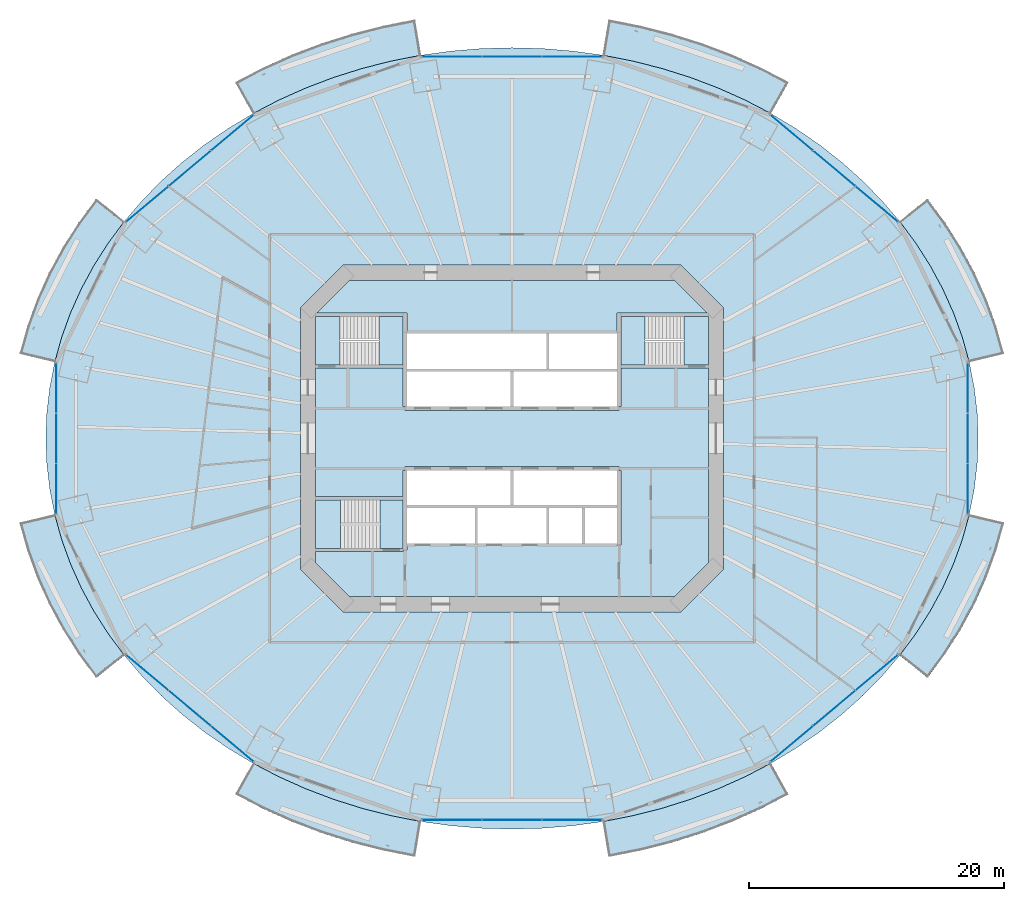
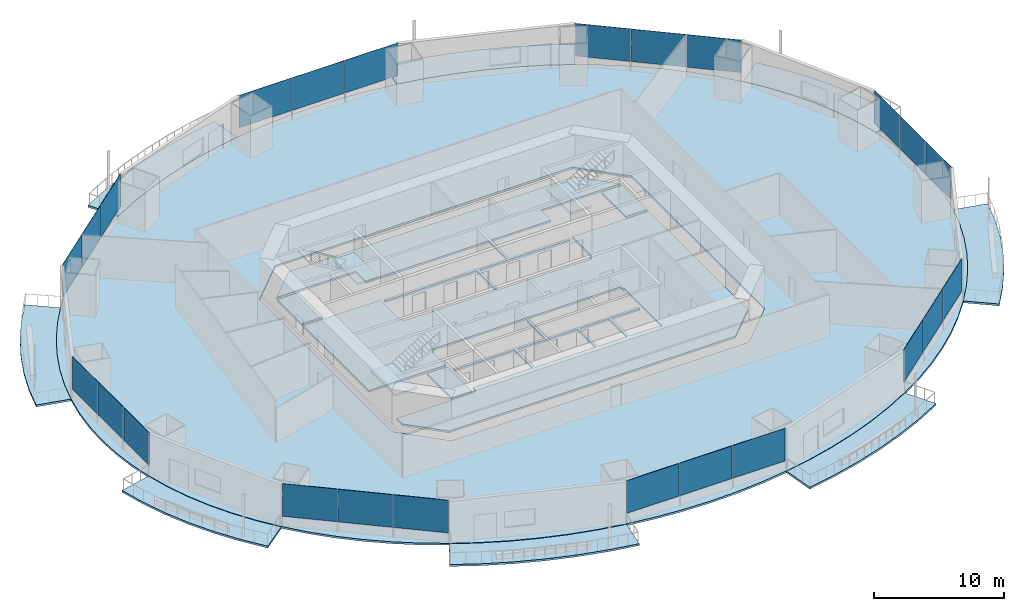
# One storey, part 13 of 23: 24 plates, 17 slabs, 11 elements without a shape of their own.
"""IFC4 building model written with IfcOpenShell, lengths in metres."""

from ifc_helpers import new_model, si_unit, direction, frame, origin, origin_2d, place, context, subcontext, project, spatial, polyline, rectangle, outline, extrude, material, layer, layer_set, type_object, element, aggregate, save


model = new_model("IFC4")

# Units and contexts
model_context = context("Model", 3, precision=1e-05, world=origin(), true_north=direction((0.0, 1.0)))
body_context = subcontext(model_context, "Body", "Model", "MODEL_VIEW")
ifc_project = project(units=[si_unit("LENGTHUNIT", "METRE"), si_unit("AREAUNIT", "SQUARE_METRE"), si_unit("VOLUMEUNIT", "CUBIC_METRE"), si_unit("PLANEANGLEUNIT", "RADIAN"), si_unit("MASSUNIT", "GRAM", prefix="KILO")], contexts=[model_context])

# Site, building, storey
site_placement = place(None, origin())
site = spatial("IfcSite", under=ifc_project, at=site_placement, CompositionType="ELEMENT")
building_placement = place(site_placement, origin())
building = spatial("IfcBuilding", under=site, at=building_placement, Name="Marenthal Gate Tower", CompositionType="ELEMENT")
storey_placement = place(building_placement, frame((0.0, 0.0, 45.449951171875)))
storey = spatial("IfcBuildingStorey", under=building, at=storey_placement, Name="L07", CompositionType="ELEMENT", Elevation=45.449951171875)

# Slabs
ifc_material_1 = material(Name="Concrete 40 MPa", Category="concrete")
ifc_layer_1 = layer(ifc_material_1, 0.179931640625)
ifc_layer_set_1 = layer_set([ifc_layer_1], Name="Balcony deck 180")
slab_type_1 = type_object("IfcSlabType", Name="Balcony deck 180", PredefinedType="USERDEFINED", material=ifc_layer_set_1)
slab_1_placement = place(storey_placement, frame((0.0, 0.0, -0.219970703125)))
element("IfcSlab", 1, at=slab_1_placement, inside=storey, type_object=slab_type_1, Name="Balcony deck L07 bay 1", ObjectType="BALCONY", PredefinedType="USERDEFINED", context=body_context, shape_type="SweptSolid", body=[
    extrude(outline(polyline([(35.85546875, 5.9765625), (35.312255859375, 7.928955078125), (34.617919921875, 9.847412109375), (33.775146484375, 11.723388671875), (32.787841796875, 13.549560546875), (31.66015625, 15.3173828125), (30.39697265625, 17.02001953125), (32.586181640625, 18.765625), (33.9658203125, 16.906005859375), (35.200927734375, 14.9697265625), (36.285400390625, 12.96435546875), (37.213134765625, 10.8984375), (37.979248046875, 8.78173828125), (38.579833984375, 6.623291015625), (35.85546875, 5.9765625)])), origin(), (0.0, 0.0, 1.0), 0.179931640625),
])
slab_2_placement = place(storey_placement, frame((0.0, 0.0, -0.219970703125)))
element("IfcSlab", 2, at=slab_2_placement, inside=storey, type_object=slab_type_1, Name="Balcony deck L07 bay 3", ObjectType="BALCONY", PredefinedType="USERDEFINED", context=body_context, shape_type="SweptSolid", body=[
    extrude(outline(polyline([(20.310546875, 25.47216796875), (18.279052734375, 26.53076171875), (16.169189453125, 27.4755859375), (13.989990234375, 28.302978515625), (11.751220703125, 29.00927734375), (9.4619140625, 29.591064453125), (7.132080078125, 30.04638671875), (7.592529296875, 32.808349609375), (10.075439453125, 32.322998046875), (12.517333984375, 31.702392578125), (14.908203125, 30.9482421875), (17.238525390625, 30.0634765625), (19.49853515625, 29.05126953125), (21.678466796875, 27.915283203125), (20.310546875, 25.47216796875)])), origin(), (0.0, 0.0, 1.0), 0.179931640625),
])
slab_3_placement = place(storey_placement, frame((0.0, 0.0, -0.219970703125)))
element("IfcSlab", 3, at=slab_3_placement, inside=storey, type_object=slab_type_1, Name="Balcony deck L07 bay 5", ObjectType="BALCONY", PredefinedType="USERDEFINED", context=body_context, shape_type="SweptSolid", body=[
    extrude(outline(polyline([(-7.132080078125, 30.04638671875), (-9.4619140625, 29.591064453125), (-11.751220703125, 29.00927734375), (-13.989990234375, 28.302978515625), (-16.169189453125, 27.4755859375), (-18.279052734375, 26.53076171875), (-20.310546875, 25.47216796875), (-21.678466796875, 27.915283203125), (-19.49853515625, 29.05126953125), (-17.238525390625, 30.0634765625), (-14.908203125, 30.9482421875), (-12.517333984375, 31.702392578125), (-10.075439453125, 32.322998046875), (-7.592529296875, 32.808349609375), (-7.132080078125, 30.04638671875)])), origin(), (0.0, 0.0, 1.0), 0.179931640625),
])
slab_4_placement = place(storey_placement, frame((0.0, 0.0, -0.219970703125)))
element("IfcSlab", 4, at=slab_4_placement, inside=storey, type_object=slab_type_1, Name="Balcony deck L07 bay 7", ObjectType="BALCONY", PredefinedType="USERDEFINED", context=body_context, shape_type="SweptSolid", body=[
    extrude(outline(polyline([(-30.39697265625, 17.02001953125), (-31.66015625, 15.3173828125), (-32.787841796875, 13.549560546875), (-33.775146484375, 11.723388671875), (-34.617919921875, 9.847412109375), (-35.312255859375, 7.928955078125), (-35.85546875, 5.9765625), (-38.579833984375, 6.623291015625), (-37.979248046875, 8.78173828125), (-37.213134765625, 10.8984375), (-36.285400390625, 12.96435546875), (-35.200927734375, 14.9697265625), (-33.9658203125, 16.906005859375), (-32.586181640625, 18.765625), (-30.39697265625, 17.02001953125)])), origin(), (0.0, 0.0, 1.0), 0.179931640625),
])
slab_5_placement = place(storey_placement, frame((0.0, 0.0, -0.219970703125)))
element("IfcSlab", 5, at=slab_5_placement, inside=storey, type_object=slab_type_1, Name="Balcony deck L07 bay 9", ObjectType="BALCONY", PredefinedType="USERDEFINED", context=body_context, shape_type="SweptSolid", body=[
    extrude(outline(polyline([(-35.85546875, -5.9765625), (-35.312255859375, -7.928955078125), (-34.617919921875, -9.847412109375), (-33.775146484375, -11.723388671875), (-32.787841796875, -13.549560546875), (-31.66015625, -15.3173828125), (-30.39697265625, -17.02001953125), (-32.586181640625, -18.765625), (-33.9658203125, -16.906005859375), (-35.200927734375, -14.9697265625), (-36.285400390625, -12.96435546875), (-37.213134765625, -10.8984375), (-37.979248046875, -8.78173828125), (-38.579833984375, -6.623291015625), (-35.85546875, -5.9765625)])), origin(), (0.0, 0.0, 1.0), 0.179931640625),
])
slab_6_placement = place(storey_placement, frame((0.0, 0.0, -0.219970703125)))
element("IfcSlab", 6, at=slab_6_placement, inside=storey, type_object=slab_type_1, Name="Balcony deck L07 bay 11", ObjectType="BALCONY", PredefinedType="USERDEFINED", context=body_context, shape_type="SweptSolid", body=[
    extrude(outline(polyline([(-20.310546875, -25.47216796875), (-18.279052734375, -26.53076171875), (-16.169189453125, -27.4755859375), (-13.989990234375, -28.302978515625), (-11.751220703125, -29.00927734375), (-9.4619140625, -29.591064453125), (-7.132080078125, -30.04638671875), (-7.592529296875, -32.808349609375), (-10.075439453125, -32.322998046875), (-12.517333984375, -31.702392578125), (-14.908203125, -30.9482421875), (-17.238525390625, -30.0634765625), (-19.49853515625, -29.05126953125), (-21.678466796875, -27.915283203125), (-20.310546875, -25.47216796875)])), origin(), (0.0, 0.0, 1.0), 0.179931640625),
])
slab_7_placement = place(storey_placement, frame((0.0, 0.0, -0.219970703125)))
element("IfcSlab", 7, at=slab_7_placement, inside=storey, type_object=slab_type_1, Name="Balcony deck L07 bay 13", ObjectType="BALCONY", PredefinedType="USERDEFINED", context=body_context, shape_type="SweptSolid", body=[
    extrude(outline(polyline([(7.132080078125, -30.04638671875), (9.4619140625, -29.591064453125), (11.751220703125, -29.00927734375), (13.989990234375, -28.302978515625), (16.169189453125, -27.4755859375), (18.279052734375, -26.53076171875), (20.310546875, -25.47216796875), (21.678466796875, -27.915283203125), (19.49853515625, -29.05126953125), (17.238525390625, -30.0634765625), (14.908203125, -30.9482421875), (12.517333984375, -31.702392578125), (10.075439453125, -32.322998046875), (7.592529296875, -32.808349609375), (7.132080078125, -30.04638671875)])), origin(), (0.0, 0.0, 1.0), 0.179931640625),
])
slab_8_placement = place(storey_placement, frame((0.0, 0.0, -0.219970703125)))
element("IfcSlab", 8, at=slab_8_placement, inside=storey, type_object=slab_type_1, Name="Balcony deck L07 bay 15", ObjectType="BALCONY", PredefinedType="USERDEFINED", context=body_context, shape_type="SweptSolid", body=[
    extrude(outline(polyline([(30.39697265625, -17.02001953125), (31.66015625, -15.3173828125), (32.787841796875, -13.549560546875), (33.775146484375, -11.723388671875), (34.617919921875, -9.847412109375), (35.312255859375, -7.928955078125), (35.85546875, -5.9765625), (38.579833984375, -6.623291015625), (37.979248046875, -8.78173828125), (37.213134765625, -10.8984375), (36.285400390625, -12.96435546875), (35.200927734375, -14.9697265625), (33.9658203125, -16.906005859375), (32.586181640625, -18.765625), (30.39697265625, -17.02001953125)])), origin(), (0.0, 0.0, 1.0), 0.179931640625),
])
ifc_material_2 = material(Name="Concrete 50 MPa", Category="concrete")
ifc_layer_2 = layer(ifc_material_2, 0.179931640625)
ifc_layer_set_2 = layer_set([ifc_layer_2], Name="Core floor slab 180")
slab_type_2 = type_object("IfcSlabType", Name="Core floor slab 180", PredefinedType="FLOOR", material=ifc_layer_set_2)
slab_9_placement = place(storey_placement, frame((0.0, 0.0, -0.179931640625)))
element("IfcSlab", 9, at=slab_9_placement, inside=storey, type_object=slab_type_2, Name="Core floor L07", PredefinedType="FLOOR", context=body_context, shape_type="SweptSolid", body=[
    extrude(outline(polyline([(15.39990234375, -9.75146484375), (12.75146484375, -12.39990234375), (-12.75146484375, -12.39990234375), (-15.39990234375, -9.75146484375), (-15.39990234375, -8.875), (-8.550048828125, -8.875), (-8.550048828125, -8.75), (-8.25, -8.75), (-8.25, -8.239990234375), (-5.60009765625, -8.239990234375), (-2.909912109375, -8.239990234375), (-2.909912109375, -5.4599609375), (-5.60009765625, -5.4599609375), (-8.25, -5.4599609375), (-8.25, -5.239990234375), (-5.60009765625, -5.239990234375), (-2.800048828125, -5.239990234375), (-0.110107421875, -5.239990234375), (-0.110107421875, -2.5), (0.110107421875, -2.5), (0.110107421875, -5.239990234375), (2.800048828125, -5.239990234375), (5.60009765625, -5.239990234375), (8.25, -5.239990234375), (8.25, -5.4599609375), (5.7099609375, -5.4599609375), (5.7099609375, -8.239990234375), (8.25, -8.239990234375), (8.25, -8.35009765625), (8.550048828125, -8.35009765625), (8.550048828125, -2.5), (8.39990234375, -2.5), (8.39990234375, -2.199951171875), (-8.39990234375, -2.199951171875), (-8.39990234375, -2.5), (-8.550048828125, -2.5), (-8.550048828125, -4.574951171875), (-15.39990234375, -4.574951171875), (-15.39990234375, 5.52490234375), (-8.550048828125, 5.52490234375), (-8.550048828125, 2.5), (-8.39990234375, 2.5), (-8.39990234375, 2.199951171875), (8.39990234375, 2.199951171875), (8.39990234375, 2.5), (8.550048828125, 2.5), (8.550048828125, 5.52490234375), (15.39990234375, 5.52490234375), (15.39990234375, -9.75146484375)]), holes=[polyline([(2.68994140625, -5.4599609375), (0.0, -5.4599609375), (-2.68994140625, -5.4599609375), (-2.68994140625, -8.239990234375), (0.0, -8.239990234375), (2.68994140625, -8.239990234375), (2.68994140625, -5.4599609375)]), polyline([(5.489990234375, -5.4599609375), (2.909912109375, -5.4599609375), (2.909912109375, -8.239990234375), (5.489990234375, -8.239990234375), (5.489990234375, -5.4599609375)])]), origin(), (0.0, 0.0, 1.0), 0.179931640625),
])
slab_10_placement = place(storey_placement, frame((0.0, 0.0, -0.179931640625)))
element("IfcSlab", 10, at=slab_10_placement, inside=storey, type_object=slab_type_2, Name="Core floor L07", PredefinedType="FLOOR", context=body_context, shape_type="SweptSolid", body=[
    extrude(outline(polyline([(15.39990234375, 5.77490234375), (13.5, 5.77490234375), (13.5, 9.574951171875), (15.39990234375, 9.574951171875), (15.39990234375, 5.77490234375)])), origin(), (0.0, 0.0, 1.0), 0.179931640625),
])
slab_11_placement = place(storey_placement, frame((0.0, 0.0, -0.179931640625)))
element("IfcSlab", 11, at=slab_11_placement, inside=storey, type_object=slab_type_2, Name="Core floor L07", PredefinedType="FLOOR", context=body_context, shape_type="SweptSolid", body=[
    extrude(outline(polyline([(12.75146484375, 12.39990234375), (15.326416015625, 9.824951171875), (8.550048828125, 9.824951171875), (8.25, 9.824951171875), (8.25, 8.35009765625), (8.25, 8.239990234375), (5.60009765625, 8.239990234375), (2.909912109375, 8.239990234375), (2.909912109375, 5.4599609375), (5.60009765625, 5.4599609375), (8.25, 5.4599609375), (8.25, 5.239990234375), (5.60009765625, 5.239990234375), (2.800048828125, 5.239990234375), (0.110107421875, 5.239990234375), (0.110107421875, 2.5), (-0.110107421875, 2.5), (-0.110107421875, 5.239990234375), (-2.800048828125, 5.239990234375), (-5.60009765625, 5.239990234375), (-8.25, 5.239990234375), (-8.25, 5.4599609375), (-5.60009765625, 5.4599609375), (-2.800048828125, 5.4599609375), (0.0, 5.4599609375), (2.68994140625, 5.4599609375), (2.68994140625, 8.239990234375), (0.0, 8.239990234375), (-2.800048828125, 8.239990234375), (-5.60009765625, 8.239990234375), (-8.25, 8.239990234375), (-8.25, 8.35009765625), (-8.25, 9.824951171875), (-8.550048828125, 9.824951171875), (-15.326416015625, 9.824951171875), (-12.75146484375, 12.39990234375), (12.75146484375, 12.39990234375)])), origin(), (0.0, 0.0, 1.0), 0.179931640625),
])
slab_12_placement = place(storey_placement, frame((0.0, 0.0, -0.179931640625)))
element("IfcSlab", 12, at=slab_12_placement, inside=storey, type_object=slab_type_2, Name="Core floor L07", PredefinedType="FLOOR", context=body_context, shape_type="SweptSolid", body=[
    extrude(outline(polyline([(-15.39990234375, 9.574951171875), (-13.5, 9.574951171875), (-13.5, 5.77490234375), (-15.39990234375, 5.77490234375), (-15.39990234375, 9.574951171875)])), origin(), (0.0, 0.0, 1.0), 0.179931640625),
])
slab_13_placement = place(storey_placement, frame((0.0, 0.0, -0.179931640625)))
element("IfcSlab", 13, at=slab_13_placement, inside=storey, type_object=slab_type_2, Name="Core floor L07", PredefinedType="FLOOR", context=body_context, shape_type="SweptSolid", body=[
    extrude(outline(polyline([(-8.550048828125, -8.625), (-10.35009765625, -8.625), (-10.35009765625, -4.824951171875), (-8.550048828125, -4.824951171875), (-8.550048828125, -8.625)])), origin(), (0.0, 0.0, 1.0), 0.179931640625),
])
ifc_material_3 = material(Name="Concrete 35 MPa", Category="concrete")
ifc_layer_3 = layer(ifc_material_3, 0.179931640625)
ifc_layer_set_3 = layer_set([ifc_layer_3], Name="Floor slab 180")
slab_type_3 = type_object("IfcSlabType", Name="Floor slab 180", PredefinedType="FLOOR", material=ifc_layer_set_3)
slab_14_placement = place(storey_placement, frame((0.0, 0.0, -0.179931640625)))
element("IfcSlab", 14, at=slab_14_placement, inside=storey, type_object=slab_type_3, Name="SL-L07-01", PredefinedType="FLOOR", context=body_context, shape_type="SweptSolid", body=[
    extrude(outline(polyline([(36.55810546875, 0.0), (36.479736328125, 2.003662109375), (36.2451171875, 3.998779296875), (35.85546875, 5.9765625), (35.312255859375, 7.928955078125), (34.617919921875, 9.847412109375), (33.775146484375, 11.723388671875), (32.787841796875, 13.549560546875), (31.66015625, 15.3173828125), (30.39697265625, 17.02001953125), (29.00341796875, 18.6494140625), (27.48583984375, 20.19921875), (25.850341796875, 21.662109375), (24.1044921875, 23.03271484375), (22.255126953125, 24.304443359375), (20.310546875, 25.47216796875), (18.279052734375, 26.53076171875), (16.169189453125, 27.4755859375), (13.989990234375, 28.302978515625), (11.751220703125, 29.00927734375), (9.4619140625, 29.591064453125), (7.132080078125, 30.04638671875), (4.771728515625, 30.372802734375), (2.39111328125, 30.5693359375), (0.0, 30.635009765625), (-2.39111328125, 30.5693359375), (-4.771728515625, 30.372802734375), (-7.132080078125, 30.04638671875), (-9.4619140625, 29.591064453125), (-11.751220703125, 29.00927734375), (-13.989990234375, 28.302978515625), (-16.169189453125, 27.4755859375), (-18.279052734375, 26.53076171875), (-20.310546875, 25.47216796875), (-22.255126953125, 24.304443359375), (-24.1044921875, 23.03271484375), (-25.850341796875, 21.662109375), (-27.48583984375, 20.19921875), (-29.00341796875, 18.6494140625), (-30.39697265625, 17.02001953125), (-31.66015625, 15.3173828125), (-32.787841796875, 13.549560546875), (-33.775146484375, 11.723388671875), (-34.617919921875, 9.847412109375), (-35.312255859375, 7.928955078125), (-35.85546875, 5.9765625), (-36.2451171875, 3.998779296875), (-36.479736328125, 2.003662109375), (-36.55810546875, 0.0), (-36.479736328125, -2.003662109375), (-36.2451171875, -3.998779296875), (-35.85546875, -5.9765625), (-35.312255859375, -7.928955078125), (-34.617919921875, -9.847412109375), (-33.775146484375, -11.723388671875), (-32.787841796875, -13.549560546875), (-31.66015625, -15.3173828125), (-30.39697265625, -17.02001953125), (-29.00341796875, -18.6494140625), (-27.48583984375, -20.19921875), (-25.850341796875, -21.662109375), (-24.1044921875, -23.03271484375), (-22.255126953125, -24.304443359375), (-20.310546875, -25.47216796875), (-18.279052734375, -26.53076171875), (-16.169189453125, -27.4755859375), (-13.989990234375, -28.302978515625), (-11.751220703125, -29.00927734375), (-9.4619140625, -29.591064453125), (-7.132080078125, -30.04638671875), (-4.771728515625, -30.372802734375), (-2.39111328125, -30.5693359375), (0.0, -30.635009765625), (2.39111328125, -30.5693359375), (4.771728515625, -30.372802734375), (7.132080078125, -30.04638671875), (9.4619140625, -29.591064453125), (11.751220703125, -29.00927734375), (13.989990234375, -28.302978515625), (16.169189453125, -27.4755859375), (18.279052734375, -26.53076171875), (20.310546875, -25.47216796875), (22.255126953125, -24.304443359375), (24.1044921875, -23.03271484375), (25.850341796875, -21.662109375), (27.48583984375, -20.19921875), (29.00341796875, -18.6494140625), (30.39697265625, -17.02001953125), (31.66015625, -15.3173828125), (32.787841796875, -13.549560546875), (33.775146484375, -11.723388671875), (34.617919921875, -9.847412109375), (35.312255859375, -7.928955078125), (35.85546875, -5.9765625), (36.2451171875, -3.998779296875), (36.479736328125, -2.003662109375), (36.55810546875, 0.0)]), holes=[polyline([(13.24853515625, -13.60009765625), (16.60009765625, -10.24853515625), (16.60009765625, 10.24853515625), (13.24853515625, 13.60009765625), (-13.24853515625, 13.60009765625), (-16.60009765625, 10.24853515625), (-16.60009765625, -10.24853515625), (-13.24853515625, -13.60009765625), (13.24853515625, -13.60009765625)])]), origin(), (0.0, 0.0, 1.0), 0.179931640625),
])

# Curtain wall, plates
ifc_material_4 = material(Name="Aluminium and glass", Category="aluminium")
curtain_wall_type = type_object("IfcCurtainWallType", Name="Curtain wall typical low", PredefinedType="NOTDEFINED", material=ifc_material_4)
curtain_wall_1_placement = place(storey_placement, origin())
curtain_wall_1 = element("IfcCurtainWall", 15, at=curtain_wall_1_placement, inside=storey, type_object=curtain_wall_type, Name="Curtain wall L07 bay 2", PredefinedType="NOTDEFINED")
ifc_material_5 = material(Name="Glass, laminated insulating unit", Category="glass")
ifc_layer_4 = layer(ifc_material_5, 0.030029296875)
ifc_layer_set_4 = layer_set([ifc_layer_4], Name="Glass panel 30 typical low")
plate_type = type_object("IfcPlateType", Name="Glass panel 30 typical low", PredefinedType="CURTAIN_PANEL", material=ifc_layer_set_4)
plate_1_placement = place(storey_placement, frame((28.606201171875, 18.369140625, 0.89990234375), z_axis=(0.0, 0.0, 1.0), x_axis=(-0.766665046336, 0.642047277641, 0.0)))
plate_1 = element("IfcPlate", 16, at=plate_1_placement, type_object=plate_type, Name="Glass panel L07 bay 2.1", PredefinedType="CURTAIN_PANEL", context=body_context, shape_type="SweptSolid", body=[
    extrude(rectangle(XDim=4.291015625, YDim=0.030029296875, at=origin_2d()), origin(), (0.0, 0.0, 1.0), 3.070068359375),
])
plate_2_placement = place(storey_placement, frame((25.2705078125, 21.162841796875, 0.89990234375), z_axis=(0.0, 0.0, 1.0), x_axis=(-0.766665046336, 0.642047277641, 0.0)))
plate_2 = element("IfcPlate", 17, at=plate_2_placement, type_object=plate_type, Name="Glass panel L07 bay 2.2", PredefinedType="CURTAIN_PANEL", context=body_context, shape_type="SweptSolid", body=[
    extrude(rectangle(XDim=4.291015625, YDim=0.030029296875, at=origin_2d()), origin(), (0.0, 0.0, 1.0), 3.070068359375),
])
plate_3_placement = place(storey_placement, frame((21.934814453125, 23.956298828125, 0.89990234375), z_axis=(0.0, 0.0, 1.0), x_axis=(-0.766665046336, 0.642047277641, 0.0)))
plate_3 = element("IfcPlate", 18, at=plate_3_placement, type_object=plate_type, Name="Glass panel L07 bay 2.3", PredefinedType="CURTAIN_PANEL", context=body_context, shape_type="SweptSolid", body=[
    extrude(rectangle(XDim=4.291015625, YDim=0.030029296875, at=origin_2d()), origin(), (0.0, 0.0, 1.0), 3.070068359375),
])
aggregate(curtain_wall_1, [plate_1, plate_2, plate_3])

curtain_wall_2_placement = place(storey_placement, origin())
curtain_wall_2 = element("IfcCurtainWall", 19, at=curtain_wall_2_placement, inside=storey, type_object=curtain_wall_type, Name="Curtain wall L07 bay 4", PredefinedType="NOTDEFINED")
plate_4_placement = place(storey_placement, frame((4.71923828125, 29.9287109375, 0.89990234375), z_axis=(0.0, 0.0, 1.0), x_axis=(-1.0, 0.0, 0.0)))
plate_4 = element("IfcPlate", 20, at=plate_4_placement, type_object=plate_type, Name="Glass panel L07 bay 4.1", PredefinedType="CURTAIN_PANEL", context=body_context, shape_type="SweptSolid", body=[
    extrude(rectangle(XDim=4.6591796875, YDim=0.030029296875, at=origin_2d()), origin(), (0.0, 0.0, 1.0), 3.070068359375),
])
plate_5_placement = place(storey_placement, frame((0.0, 29.9287109375, 0.89990234375), z_axis=(0.0, 0.0, 1.0), x_axis=(-1.0, 0.0, 0.0)))
plate_5 = element("IfcPlate", 21, at=plate_5_placement, type_object=plate_type, Name="Glass panel L07 bay 4.2", PredefinedType="CURTAIN_PANEL", context=body_context, shape_type="SweptSolid", body=[
    extrude(rectangle(XDim=4.6591796875, YDim=0.030029296875, at=origin_2d()), origin(), (0.0, 0.0, 1.0), 3.070068359375),
])
plate_6_placement = place(storey_placement, frame((-4.71923828125, 29.9287109375, 0.89990234375), z_axis=(0.0, 0.0, 1.0), x_axis=(-1.0, 0.0, 0.0)))
plate_6 = element("IfcPlate", 22, at=plate_6_placement, type_object=plate_type, Name="Glass panel L07 bay 4.3", PredefinedType="CURTAIN_PANEL", context=body_context, shape_type="SweptSolid", body=[
    extrude(rectangle(XDim=4.6591796875, YDim=0.030029296875, at=origin_2d()), origin(), (0.0, 0.0, 1.0), 3.070068359375),
])
aggregate(curtain_wall_2, [plate_4, plate_5, plate_6])

curtain_wall_3_placement = place(storey_placement, origin())
curtain_wall_3 = element("IfcCurtainWall", 23, at=curtain_wall_3_placement, inside=storey, type_object=curtain_wall_type, Name="Curtain wall L07 bay 6", PredefinedType="NOTDEFINED")
plate_7_placement = place(storey_placement, frame((-21.934814453125, 23.956298828125, 0.89990234375), z_axis=(0.0, 0.0, 1.0), x_axis=(-0.766665046336, -0.642047277641, 0.0)))
plate_7 = element("IfcPlate", 24, at=plate_7_placement, type_object=plate_type, Name="Glass panel L07 bay 6.1", PredefinedType="CURTAIN_PANEL", context=body_context, shape_type="SweptSolid", body=[
    extrude(rectangle(XDim=4.291015625, YDim=0.030029296875, at=origin_2d()), origin(), (0.0, 0.0, 1.0), 3.070068359375),
])
plate_8_placement = place(storey_placement, frame((-25.2705078125, 21.162841796875, 0.89990234375), z_axis=(0.0, 0.0, 1.0), x_axis=(-0.766665046336, -0.642047277641, 0.0)))
plate_8 = element("IfcPlate", 25, at=plate_8_placement, type_object=plate_type, Name="Glass panel L07 bay 6.2", PredefinedType="CURTAIN_PANEL", context=body_context, shape_type="SweptSolid", body=[
    extrude(rectangle(XDim=4.291015625, YDim=0.030029296875, at=origin_2d()), origin(), (0.0, 0.0, 1.0), 3.070068359375),
])
plate_9_placement = place(storey_placement, frame((-28.606201171875, 18.369140625, 0.89990234375), z_axis=(0.0, 0.0, 1.0), x_axis=(-0.766665046336, -0.642047277641, 0.0)))
plate_9 = element("IfcPlate", 26, at=plate_9_placement, type_object=plate_type, Name="Glass panel L07 bay 6.3", PredefinedType="CURTAIN_PANEL", context=body_context, shape_type="SweptSolid", body=[
    extrude(rectangle(XDim=4.291015625, YDim=0.030029296875, at=origin_2d()), origin(), (0.0, 0.0, 1.0), 3.070068359375),
])
aggregate(curtain_wall_3, [plate_7, plate_8, plate_9])

curtain_wall_4_placement = place(storey_placement, origin())
curtain_wall_4 = element("IfcCurtainWall", 27, at=curtain_wall_4_placement, inside=storey, type_object=curtain_wall_type, Name="Curtain wall L07 bay 8", PredefinedType="NOTDEFINED")
plate_10_placement = place(storey_placement, frame((-35.73779296875, 3.94873046875, 0.89990234375), z_axis=(0.0, 0.0, 1.0), x_axis=(0.0, -1.0, 0.0)))
plate_10 = element("IfcPlate", 28, at=plate_10_placement, type_object=plate_type, Name="Glass panel L07 bay 8.1", PredefinedType="CURTAIN_PANEL", context=body_context, shape_type="SweptSolid", body=[
    extrude(rectangle(XDim=3.888916015625, YDim=0.030029296875, at=origin_2d()), origin(), (0.0, 0.0, 1.0), 3.070068359375),
])
plate_11_placement = place(storey_placement, frame((-35.73779296875, 0.0, 0.89990234375), z_axis=(0.0, 0.0, 1.0), x_axis=(0.0, -1.0, 0.0)))
plate_11 = element("IfcPlate", 29, at=plate_11_placement, type_object=plate_type, Name="Glass panel L07 bay 8.2", PredefinedType="CURTAIN_PANEL", context=body_context, shape_type="SweptSolid", body=[
    extrude(rectangle(XDim=3.888916015625, YDim=0.030029296875, at=origin_2d()), origin(), (0.0, 0.0, 1.0), 3.070068359375),
])
plate_12_placement = place(storey_placement, frame((-35.73779296875, -3.94873046875, 0.89990234375), z_axis=(0.0, 0.0, 1.0), x_axis=(0.0, -1.0, 0.0)))
plate_12 = element("IfcPlate", 30, at=plate_12_placement, type_object=plate_type, Name="Glass panel L07 bay 8.3", PredefinedType="CURTAIN_PANEL", context=body_context, shape_type="SweptSolid", body=[
    extrude(rectangle(XDim=3.888916015625, YDim=0.030029296875, at=origin_2d()), origin(), (0.0, 0.0, 1.0), 3.070068359375),
])
aggregate(curtain_wall_4, [plate_10, plate_11, plate_12])

curtain_wall_5_placement = place(storey_placement, origin())
curtain_wall_5 = element("IfcCurtainWall", 31, at=curtain_wall_5_placement, inside=storey, type_object=curtain_wall_type, Name="Curtain wall L07 bay 10", PredefinedType="NOTDEFINED")
plate_13_placement = place(storey_placement, frame((-28.606201171875, -18.369140625, 0.89990234375), z_axis=(0.0, 0.0, 1.0), x_axis=(0.766665046336, -0.642047277641, 0.0)))
plate_13 = element("IfcPlate", 32, at=plate_13_placement, type_object=plate_type, Name="Glass panel L07 bay 10.1", PredefinedType="CURTAIN_PANEL", context=body_context, shape_type="SweptSolid", body=[
    extrude(rectangle(XDim=4.291015625, YDim=0.030029296875, at=origin_2d()), origin(), (0.0, 0.0, 1.0), 3.070068359375),
])
plate_14_placement = place(storey_placement, frame((-25.2705078125, -21.162841796875, 0.89990234375), z_axis=(0.0, 0.0, 1.0), x_axis=(0.766665046336, -0.642047277641, 0.0)))
plate_14 = element("IfcPlate", 33, at=plate_14_placement, type_object=plate_type, Name="Glass panel L07 bay 10.2", PredefinedType="CURTAIN_PANEL", context=body_context, shape_type="SweptSolid", body=[
    extrude(rectangle(XDim=4.291015625, YDim=0.030029296875, at=origin_2d()), origin(), (0.0, 0.0, 1.0), 3.070068359375),
])
plate_15_placement = place(storey_placement, frame((-21.934814453125, -23.956298828125, 0.89990234375), z_axis=(0.0, 0.0, 1.0), x_axis=(0.766665046336, -0.642047277641, 0.0)))
plate_15 = element("IfcPlate", 34, at=plate_15_placement, type_object=plate_type, Name="Glass panel L07 bay 10.3", PredefinedType="CURTAIN_PANEL", context=body_context, shape_type="SweptSolid", body=[
    extrude(rectangle(XDim=4.291015625, YDim=0.030029296875, at=origin_2d()), origin(), (0.0, 0.0, 1.0), 3.070068359375),
])
aggregate(curtain_wall_5, [plate_13, plate_14, plate_15])

curtain_wall_6_placement = place(storey_placement, origin())
curtain_wall_6 = element("IfcCurtainWall", 35, at=curtain_wall_6_placement, inside=storey, type_object=curtain_wall_type, Name="Curtain wall L07 bay 12", PredefinedType="NOTDEFINED")
plate_16_placement = place(storey_placement, frame((-4.71923828125, -29.9287109375, 0.89990234375), z_axis=(0.0, 0.0, 1.0), x_axis=(1.0, 0.0, 0.0)))
plate_16 = element("IfcPlate", 36, at=plate_16_placement, type_object=plate_type, Name="Glass panel L07 bay 12.1", PredefinedType="CURTAIN_PANEL", context=body_context, shape_type="SweptSolid", body=[
    extrude(rectangle(XDim=4.6591796875, YDim=0.030029296875, at=origin_2d()), origin(), (0.0, 0.0, 1.0), 3.070068359375),
])
plate_17_placement = place(storey_placement, frame((0.0, -29.9287109375, 0.89990234375), z_axis=(0.0, 0.0, 1.0), x_axis=(1.0, 0.0, 0.0)))
plate_17 = element("IfcPlate", 37, at=plate_17_placement, type_object=plate_type, Name="Glass panel L07 bay 12.2", PredefinedType="CURTAIN_PANEL", context=body_context, shape_type="SweptSolid", body=[
    extrude(rectangle(XDim=4.6591796875, YDim=0.030029296875, at=origin_2d()), origin(), (0.0, 0.0, 1.0), 3.070068359375),
])
plate_18_placement = place(storey_placement, frame((4.71923828125, -29.9287109375, 0.89990234375), z_axis=(0.0, 0.0, 1.0), x_axis=(1.0, 0.0, 0.0)))
plate_18 = element("IfcPlate", 38, at=plate_18_placement, type_object=plate_type, Name="Glass panel L07 bay 12.3", PredefinedType="CURTAIN_PANEL", context=body_context, shape_type="SweptSolid", body=[
    extrude(rectangle(XDim=4.6591796875, YDim=0.030029296875, at=origin_2d()), origin(), (0.0, 0.0, 1.0), 3.070068359375),
])
aggregate(curtain_wall_6, [plate_16, plate_17, plate_18])

curtain_wall_7_placement = place(storey_placement, origin())
curtain_wall_7 = element("IfcCurtainWall", 39, at=curtain_wall_7_placement, inside=storey, type_object=curtain_wall_type, Name="Curtain wall L07 bay 14", PredefinedType="NOTDEFINED")
plate_19_placement = place(storey_placement, frame((21.934814453125, -23.956298828125, 0.89990234375), z_axis=(0.0, 0.0, 1.0), x_axis=(0.766665046336, 0.642047277641, 0.0)))
plate_19 = element("IfcPlate", 40, at=plate_19_placement, type_object=plate_type, Name="Glass panel L07 bay 14.1", PredefinedType="CURTAIN_PANEL", context=body_context, shape_type="SweptSolid", body=[
    extrude(rectangle(XDim=4.291015625, YDim=0.030029296875, at=origin_2d()), origin(), (0.0, 0.0, 1.0), 3.070068359375),
])
plate_20_placement = place(storey_placement, frame((25.2705078125, -21.162841796875, 0.89990234375), z_axis=(0.0, 0.0, 1.0), x_axis=(0.766665046336, 0.642047277641, 0.0)))
plate_20 = element("IfcPlate", 41, at=plate_20_placement, type_object=plate_type, Name="Glass panel L07 bay 14.2", PredefinedType="CURTAIN_PANEL", context=body_context, shape_type="SweptSolid", body=[
    extrude(rectangle(XDim=4.291015625, YDim=0.030029296875, at=origin_2d()), origin(), (0.0, 0.0, 1.0), 3.070068359375),
])
plate_21_placement = place(storey_placement, frame((28.606201171875, -18.369140625, 0.89990234375), z_axis=(0.0, 0.0, 1.0), x_axis=(0.766665046336, 0.642047277641, 0.0)))
plate_21 = element("IfcPlate", 42, at=plate_21_placement, type_object=plate_type, Name="Glass panel L07 bay 14.3", PredefinedType="CURTAIN_PANEL", context=body_context, shape_type="SweptSolid", body=[
    extrude(rectangle(XDim=4.291015625, YDim=0.030029296875, at=origin_2d()), origin(), (0.0, 0.0, 1.0), 3.070068359375),
])
aggregate(curtain_wall_7, [plate_19, plate_20, plate_21])

curtain_wall_8_placement = place(storey_placement, origin())
curtain_wall_8 = element("IfcCurtainWall", 43, at=curtain_wall_8_placement, inside=storey, type_object=curtain_wall_type, Name="Curtain wall L07 bay 16", PredefinedType="NOTDEFINED")
plate_22_placement = place(storey_placement, frame((35.73779296875, -3.94873046875, 0.89990234375), z_axis=(0.0, 0.0, 1.0), x_axis=(0.0, 1.0, 0.0)))
plate_22 = element("IfcPlate", 44, at=plate_22_placement, type_object=plate_type, Name="Glass panel L07 bay 16.1", PredefinedType="CURTAIN_PANEL", context=body_context, shape_type="SweptSolid", body=[
    extrude(rectangle(XDim=3.888916015625, YDim=0.030029296875, at=origin_2d()), origin(), (0.0, 0.0, 1.0), 3.070068359375),
])
plate_23_placement = place(storey_placement, frame((35.73779296875, 0.0, 0.89990234375), z_axis=(0.0, 0.0, 1.0), x_axis=(0.0, 1.0, 0.0)))
plate_23 = element("IfcPlate", 45, at=plate_23_placement, type_object=plate_type, Name="Glass panel L07 bay 16.2", PredefinedType="CURTAIN_PANEL", context=body_context, shape_type="SweptSolid", body=[
    extrude(rectangle(XDim=3.888916015625, YDim=0.030029296875, at=origin_2d()), origin(), (0.0, 0.0, 1.0), 3.070068359375),
])
plate_24_placement = place(storey_placement, frame((35.73779296875, 3.94873046875, 0.89990234375), z_axis=(0.0, 0.0, 1.0), x_axis=(0.0, 1.0, 0.0)))
plate_24 = element("IfcPlate", 46, at=plate_24_placement, type_object=plate_type, Name="Glass panel L07 bay 16.3", PredefinedType="CURTAIN_PANEL", context=body_context, shape_type="SweptSolid", body=[
    extrude(rectangle(XDim=3.888916015625, YDim=0.030029296875, at=origin_2d()), origin(), (0.0, 0.0, 1.0), 3.070068359375),
])
aggregate(curtain_wall_8, [plate_22, plate_23, plate_24])

# Stair, slab
ifc_material_6 = material(Name="Concrete 40 MPa", Category="concrete")
stair_type = type_object("IfcStairType", Name="Exit stair 1800", PredefinedType="HALF_TURN_STAIR", material=ifc_material_6)
stair_1_placement = place(storey_placement, origin())
stair_1 = element("IfcStair", 47, at=stair_1_placement, inside=storey, type_object=stair_type, Name="Stair ST1", PredefinedType="HALF_TURN_STAIR")
ifc_material_7 = material(Name="Concrete 40 MPa", Category="concrete")
ifc_layer_5 = layer(ifc_material_7, 0.199951171875)
ifc_layer_set_5 = layer_set([ifc_layer_5], Name="Stair landing 200")
slab_type_4 = type_object("IfcSlabType", Name="Stair landing 200", PredefinedType="LANDING", material=ifc_layer_set_5)
slab_15_placement = place(storey_placement, frame((0.0, 0.0, 1.875)))
slab_15 = element("IfcSlab", 48, at=slab_15_placement, type_object=slab_type_4, Name="ST1 landing 1", PredefinedType="LANDING", context=body_context, shape_type="SweptSolid", body=[
    extrude(outline(polyline([(-10.419921875, 5.77490234375), (-8.550048828125, 5.77490234375), (-8.550048828125, 9.574951171875), (-10.419921875, 9.574951171875), (-10.419921875, 5.77490234375)])), origin(), (0.0, 0.0, 1.0), 0.199951171875),
])
aggregate(stair_1, [slab_15])

stair_2_placement = place(storey_placement, origin())
stair_2 = element("IfcStair", 49, at=stair_2_placement, inside=storey, type_object=stair_type, Name="Stair ST2", PredefinedType="HALF_TURN_STAIR")
slab_16_placement = place(storey_placement, frame((0.0, 0.0, 1.875)))
slab_16 = element("IfcSlab", 50, at=slab_16_placement, type_object=slab_type_4, Name="ST2 landing 1", PredefinedType="LANDING", context=body_context, shape_type="SweptSolid", body=[
    extrude(outline(polyline([(-15.39990234375, -8.625), (-13.429931640625, -8.625), (-13.429931640625, -4.824951171875), (-15.39990234375, -4.824951171875), (-15.39990234375, -8.625)])), origin(), (0.0, 0.0, 1.0), 0.199951171875),
])
aggregate(stair_2, [slab_16])

stair_3_placement = place(storey_placement, origin())
stair_3 = element("IfcStair", 51, at=stair_3_placement, inside=storey, type_object=stair_type, Name="Stair ST3", PredefinedType="HALF_TURN_STAIR")
slab_17_placement = place(storey_placement, frame((0.0, 0.0, 1.875)))
slab_17 = element("IfcSlab", 52, at=slab_17_placement, type_object=slab_type_4, Name="ST3 landing 1", PredefinedType="LANDING", context=body_context, shape_type="SweptSolid", body=[
    extrude(outline(polyline([(8.550048828125, 5.77490234375), (10.419921875, 5.77490234375), (10.419921875, 9.574951171875), (8.550048828125, 9.574951171875), (8.550048828125, 5.77490234375)])), origin(), (0.0, 0.0, 1.0), 0.199951171875),
])
aggregate(stair_3, [slab_17])

save(model, "model.ifc")
